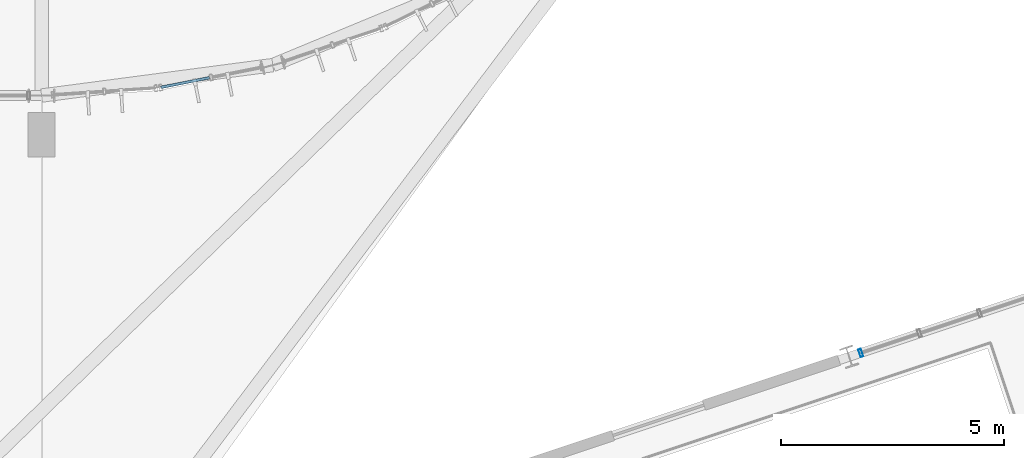
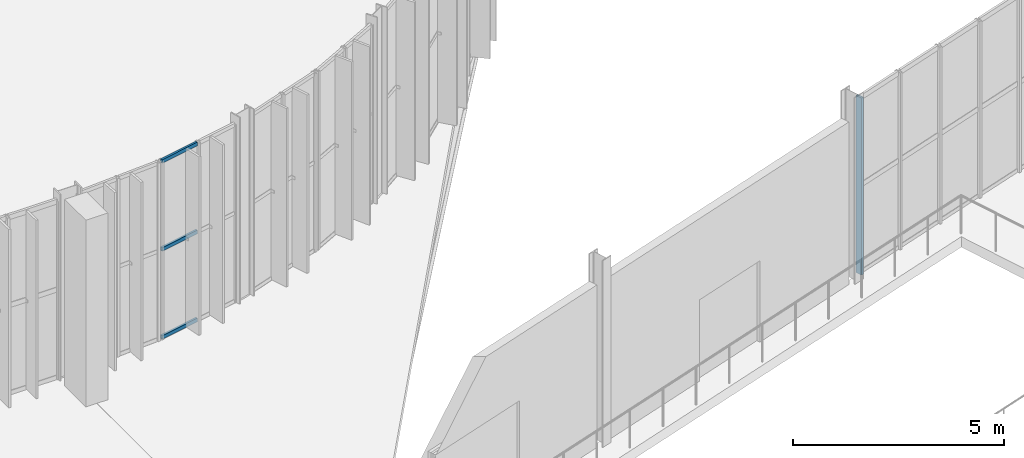
# One storey, part 49 of 158: 4 members, 2 elements without a shape of their own.
"""IFC4 building model written with IfcOpenShell, lengths in metres."""

from ifc_helpers import new_model, si_unit, derived_unit, direction, frame, origin, origin_2d, place, context, subcontext, project, spatial, hollow_rectangle, extrude, material, material_profile, profile_set, type_object, element, aggregate, save


model = new_model("IFC4")

# Units and contexts
model_context = context("Model", 3, precision=1e-05, world=origin(), true_north=direction((0.0, 1.0)))
body_context = subcontext(model_context, "Body", "Model", "MODEL_VIEW")
ifc_project = project(units=[si_unit("LENGTHUNIT", "METRE"), si_unit("AREAUNIT", "SQUARE_METRE"), si_unit("VOLUMEUNIT", "CUBIC_METRE"), si_unit("PLANEANGLEUNIT", "RADIAN"), si_unit("MASSUNIT", "GRAM", prefix="KILO"), si_unit("THERMODYNAMICTEMPERATUREUNIT", "KELVIN"), si_unit("TIMEUNIT", "SECOND"), derived_unit("THERMALTRANSMITTANCEUNIT", [(si_unit("MASSUNIT", "GRAM", prefix="KILO"), 1), (si_unit("THERMODYNAMICTEMPERATUREUNIT", "KELVIN"), -1), (si_unit("TIMEUNIT", "SECOND"), -3)])], contexts=[model_context])

# Site, building, storey
site_placement = place(None, origin())
site = spatial("IfcSite", under=ifc_project, at=site_placement, CompositionType="ELEMENT")
building_placement = place(site_placement, origin())
building = spatial("IfcBuilding", under=site, at=building_placement, Name="Cambertide Market Hall", CompositionType="ELEMENT")
storey_placement = place(building_placement, origin())
storey = spatial("IfcBuildingStorey", under=building, at=storey_placement, Name="L01", CompositionType="ELEMENT", Elevation=0.0)

# Curtain wall, member
ifc_material_1 = material(Name="Marine Anodized Aluminium 6063-T6 AA25", Category="aluminium")
curtain_wall_type_1 = type_object("IfcCurtainWallType", Name="Food Court Ground Glazed Facade", PredefinedType="USERDEFINED", material=ifc_material_1)
curtain_wall_1_placement = place(storey_placement, origin())
curtain_wall_1 = element("IfcCurtainWall", 1, at=curtain_wall_1_placement, inside=storey, type_object=curtain_wall_type_1, Name="Level 1 Curtain Wall CW-V3N-L01-4", ObjectType="UNITIZED CURTAIN WALL", PredefinedType="USERDEFINED")
ifc_material_2 = material(Name="Champagne Marine Anodized Aluminium 6063-T6 AA25", Category="aluminium")
ifc_material_profile_1 = material_profile(ifc_material_2, hollow_rectangle(XDim=0.06494140625, YDim=0.179931640625, WallThickness=0.00390625, at=origin_2d()), Name="ALU MULLION 65x180")
ifc_profile_set_1 = profile_set([ifc_material_profile_1], Name="Champagne Marine Anodized Aluminium 6063-T6 AA25")
member_type_1 = type_object("IfcMemberType", Name="Curtain Wall Mullion ALU MULLION 65x180", PredefinedType="MULLION", material=ifc_profile_set_1)
member_1_placement = place(storey_placement, frame((123.337158203125, 46.239501953125, 0.0), z_axis=(0.0, 0.0, 1.0), x_axis=(0.948683286311, 0.316227801236, 0.0)))
member_1 = element("IfcMember", 2, at=member_1_placement, type_object=member_type_1, Name="CW-V3N-L01-4 Mullion 1", PredefinedType="MULLION", context=body_context, shape_type="SweptSolid", body=[
    extrude(hollow_rectangle(XDim=0.06494140625, YDim=0.179931640625, WallThickness=0.00390625, at=origin_2d()), origin(), (0.0, 0.0, 1.0), 5.1201171875),
])
aggregate(curtain_wall_1, [member_1])

# Curtain wall, members
ifc_material_3 = material(Name="Marine Anodized Aluminium 6063-T6 AA25", Category="aluminium")
curtain_wall_type_2 = type_object("IfcCurtainWallType", Name="Lantern Apse Chord Lower Curtain Wall", PredefinedType="USERDEFINED", material=ifc_material_3)
curtain_wall_2_placement = place(storey_placement, origin())
curtain_wall_2 = element("IfcCurtainWall", 3, at=curtain_wall_2_placement, inside=storey, type_object=curtain_wall_type_2, Name="Level 1 Curtain Wall CW-V1AE-L01-02", ObjectType="UNITIZED CURTAIN WALL", PredefinedType="USERDEFINED")
ifc_material_4 = material(Name="Champagne Marine Anodized Aluminium 6063-T6 AA25", Category="aluminium")
ifc_material_profile_2 = material_profile(ifc_material_4, hollow_rectangle(XDim=0.06005859375, YDim=0.10498046875, WallThickness=0.0029296875, at=origin_2d()), Name="ALU TRANSOM 60x105")
ifc_profile_set_2 = profile_set([ifc_material_profile_2], Name="Champagne Marine Anodized Aluminium 6063-T6 AA25")
member_type_2 = type_object("IfcMemberType", Name="Curtain Wall Transom ALU TRANSOM 60x105", PredefinedType="USERDEFINED", material=ifc_profile_set_2)
member_2_placement = place(storey_placement, frame((108.756103515625, 52.39892578125, 0.034912109375), z_axis=(-0.980800411785, -0.195014235999, 0.0), x_axis=(0.195014235999, -0.980800411785, 0.0)))
member_2 = element("IfcMember", 4, at=member_2_placement, type_object=member_type_2, Name="CW-V1AE-L01-02 Transom 1-2", ObjectType="TRANSOM", PredefinedType="USERDEFINED", context=body_context, shape_type="SweptSolid", body=[
    extrude(hollow_rectangle(XDim=0.06005859375, YDim=0.10498046875, WallThickness=0.0029296875, at=origin_2d()), origin(), (0.0, 0.0, 1.0), 1.10791015625),
])
member_3_placement = place(storey_placement, frame((108.756103515625, 52.39892578125, 2.580078125), z_axis=(-0.980800411785, -0.195014235999, 0.0), x_axis=(0.195014235999, -0.980800411785, 0.0)))
member_3 = element("IfcMember", 5, at=member_3_placement, type_object=member_type_2, Name="CW-V1AE-L01-02 Transom 2-2", ObjectType="TRANSOM", PredefinedType="USERDEFINED", context=body_context, shape_type="SweptSolid", body=[
    extrude(hollow_rectangle(XDim=0.06005859375, YDim=0.10498046875, WallThickness=0.0029296875, at=origin_2d()), origin(), (0.0, 0.0, 1.0), 1.10791015625),
])
member_4_placement = place(storey_placement, frame((108.756103515625, 52.39892578125, 5.125), z_axis=(-0.980800411785, -0.195014235999, 0.0), x_axis=(0.195014235999, -0.980800411785, 0.0)))
member_4 = element("IfcMember", 6, at=member_4_placement, type_object=member_type_2, Name="CW-V1AE-L01-02 Transom 3-2", ObjectType="TRANSOM", PredefinedType="USERDEFINED", context=body_context, shape_type="SweptSolid", body=[
    extrude(hollow_rectangle(XDim=0.06005859375, YDim=0.10498046875, WallThickness=0.0029296875, at=origin_2d()), origin(), (0.0, 0.0, 1.0), 1.10791015625),
])
aggregate(curtain_wall_2, [member_2, member_3, member_4])

save(model, "model.ifc")
